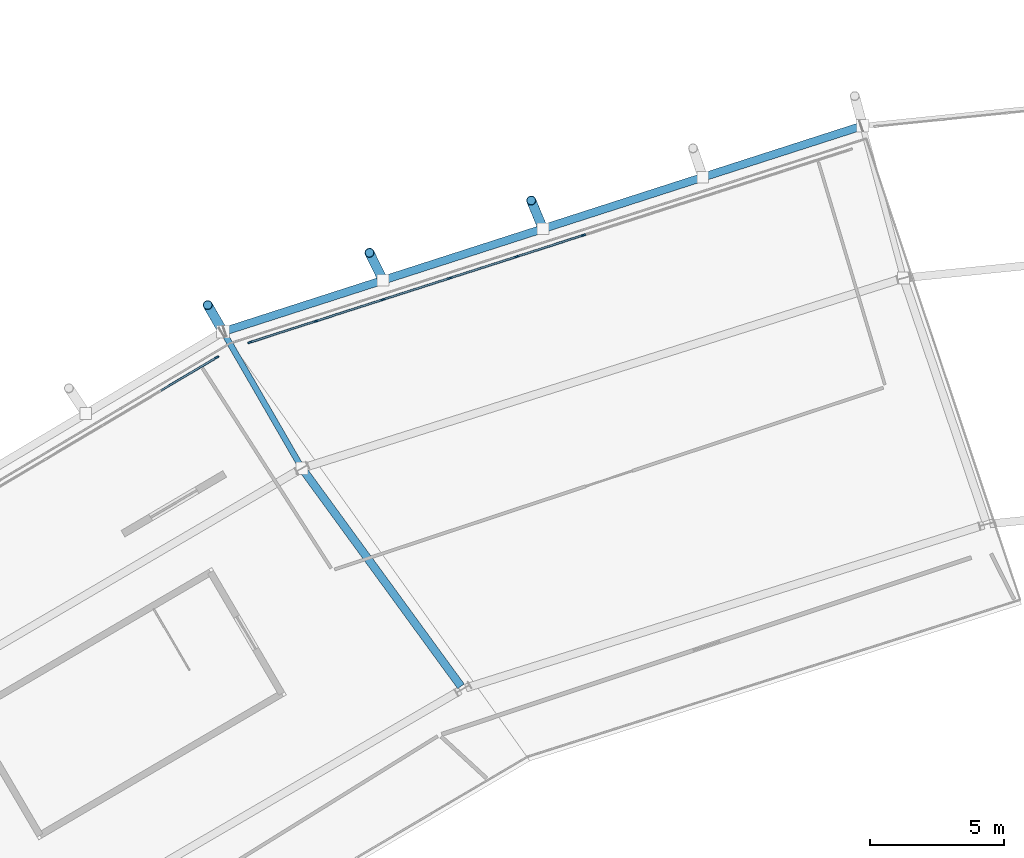
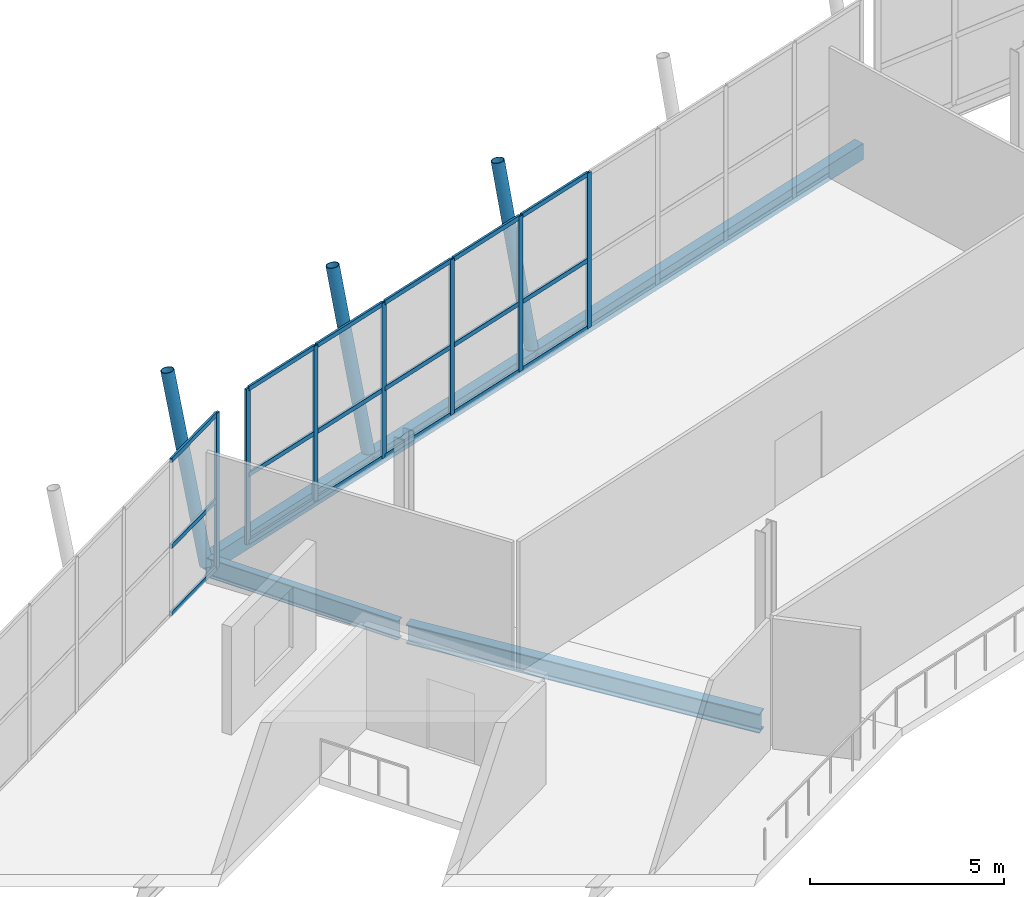
# One storey, part 45 of 99: 28 members, 3 beams, 2 elements without a shape of their own.
"""IFC4 building model written with IfcOpenShell, lengths in metres."""

import ifcopenshell
import ifcopenshell.guid

model = None  # the IFC model being written
_history = None  # IfcOwnerHistory: only IFC2X3 demands one
_inside = {}  # id of a spatial element -> (the spatial element, [elements in it])
_under = {}  # id of a project, library or spatial element -> (it, [spatial elements below it])
_declared = {}  # id of a project -> (the project, [libraries it declares])
_typed = {}  # id of a type object -> (the type object, [elements of that type])
_made_of = {}  # id of a material, layer set ... -> (it, [elements and type objects made of it])


def new_model(schema):
    """Start an empty IFC model of exactly this schema.

    Asked for "IFC4X3", IfcOpenShell would pick the latest addendum, in which some entities
    have other attributes; the version numbers below select the first issue.
    IFC2X3 requires an IfcOwnerHistory on every rooted entity: one is made here for all.
    """
    global model, _history
    if schema == "IFC4X3":
        model = ifcopenshell.file(schema_version=(4, 3, 0, 0))
    else:
        model = ifcopenshell.file(schema=schema)
    _inside.clear()
    _under.clear()
    _declared.clear()
    _typed.clear()
    _made_of.clear()
    _history = None
    if model.schema == "IFC2X3":
        org = make("IfcOrganization", Name="unknown")
        user = make(
            "IfcPersonAndOrganization",
            ThePerson=make("IfcPerson", FamilyName="unknown"),
            TheOrganization=org,
        )
        app = make(
            "IfcApplication",
            ApplicationDeveloper=org,
            Version="unknown",
            ApplicationFullName="unknown",
            ApplicationIdentifier="unknown",
        )
        _history = make(
            "IfcOwnerHistory",
            OwningUser=user,
            OwningApplication=app,
            ChangeAction="ADDED",
            CreationDate=0,
        )
    return model


def make(cls, **values):
    """One entity of the class cls with the attributes given. An attribute that is None is left unset."""
    return model.create_entity(
        cls, **{name: value for name, value in values.items() if value is not None}
    )


def rooted(cls, **values):
    """An entity with a GlobalId (a new one), such as an element, a storey or a relation."""
    return make(cls, GlobalId=ifcopenshell.guid.new(), OwnerHistory=_history, **values)


def si_unit(unit_type, name, prefix=None):
    """IfcSIUnit, for example si_unit("LENGTHUNIT", "METRE", prefix="MILLI")."""
    return make("IfcSIUnit", UnitType=unit_type, Prefix=prefix, Name=name)


def assignment(units):
    """IfcUnitAssignment: the units of a project."""
    return None if units is None else make("IfcUnitAssignment", Units=units)


def point(xyz):
    """IfcCartesianPoint."""
    return None if xyz is None else make("IfcCartesianPoint", Coordinates=xyz)


def direction(xyz):
    """IfcDirection."""
    return None if xyz is None else make("IfcDirection", DirectionRatios=xyz)


def frame(location, z_axis=None, x_axis=None):
    """IfcAxis2Placement3D, a coordinate frame: its origin and axes. An axis left out is left unset."""
    return make(
        "IfcAxis2Placement3D",
        Location=point(location),
        Axis=direction(z_axis),
        RefDirection=direction(x_axis),
    )


def frame_2d(location, x_axis=None):
    """IfcAxis2Placement2D, a coordinate frame in the plane: its origin and x axis."""
    return make(
        "IfcAxis2Placement2D", Location=point(location), RefDirection=direction(x_axis)
    )


def origin():
    """The frame at (0, 0, 0) with its axes left unset."""
    return frame((0.0, 0.0, 0.0))


def origin_2d():
    """The frame at (0, 0) in the plane with its x axis left unset."""
    return frame_2d((0.0, 0.0))


def place(relative_to, where):
    """IfcLocalPlacement: puts the frame where relative to a parent placement (None: the world)."""
    return make(
        "IfcLocalPlacement", PlacementRelTo=relative_to, RelativePlacement=where
    )


def context(
    kind, dimensions, precision=None, world=None, true_north=None, identifier=None
):
    """IfcGeometricRepresentationContext, for example the 3D "Model" context."""
    return make(
        "IfcGeometricRepresentationContext",
        ContextIdentifier=identifier,
        ContextType=kind,
        CoordinateSpaceDimension=dimensions,
        Precision=precision,
        WorldCoordinateSystem=world,
        TrueNorth=true_north,
    )


def subcontext(parent, identifier, kind, view, scale=None):
    """IfcGeometricRepresentationSubContext, for example "Body" below "Model"."""
    return make(
        "IfcGeometricRepresentationSubContext",
        ContextIdentifier=identifier,
        ContextType=kind,
        ParentContext=parent,
        TargetScale=scale,
        TargetView=view,
    )


def project(units=None, contexts=None):
    """IfcProject with its units and contexts."""
    return rooted(
        "IfcProject",
        Name="project",
        RepresentationContexts=contexts,
        UnitsInContext=assignment(units),
    )


def spatial(cls, under=None, at=None, **own):
    """A site, building, storey or space (cls), placed at a placement, below another one or the project."""
    s = rooted(cls, ObjectPlacement=at, **own)
    if under is not None:
        _under.setdefault(under.id(), (under, []))[1].append(s)
    return s


def profile(cls, at=None, kind="AREA", **sizes):
    """A parametric profile (cls). Its sizes go by their IFC names, for example OverallWidth=200.0."""
    return make(cls, ProfileType=kind, Position=at, **sizes)


def rectangle(**sizes):
    """IfcRectangleProfileDef."""
    return profile("IfcRectangleProfileDef", **sizes)


def hollow_rectangle(**sizes):
    """IfcRectangleHollowProfileDef."""
    return profile("IfcRectangleHollowProfileDef", **sizes)


def hollow_circle(**sizes):
    """IfcCircleHollowProfileDef."""
    return profile("IfcCircleHollowProfileDef", **sizes)


def i_section(**sizes):
    """IfcIShapeProfileDef."""
    return profile("IfcIShapeProfileDef", **sizes)


def extrude(swept, where, along, depth):
    """IfcExtrudedAreaSolid: the profile swept, set in the frame where, extruded along a direction by depth."""
    return make(
        "IfcExtrudedAreaSolid",
        SweptArea=swept,
        Position=where,
        ExtrudedDirection=direction(along),
        Depth=depth,
    )


def shape(context_of_items, identifier, shape_type, items):
    """IfcShapeRepresentation: the items that make up one representation, for example the "Body"."""
    return make(
        "IfcShapeRepresentation",
        ContextOfItems=context_of_items,
        RepresentationIdentifier=identifier,
        RepresentationType=shape_type,
        Items=items,
    )


def material(Name=None, Category=None):
    """IfcMaterial."""
    return make("IfcMaterial", Name=Name, Category=Category)


def material_profile(
    of_material, cross_section, Name=None, Category=None, Priority=None
):
    """IfcMaterialProfile: a cross section and its material."""
    return make(
        "IfcMaterialProfile",
        Name=Name,
        Material=of_material,
        Profile=cross_section,
        Priority=Priority,
        Category=Category,
    )


def profile_set(profiles, Name=None, composite=None):
    """IfcMaterialProfileSet."""
    return make(
        "IfcMaterialProfileSet",
        Name=Name,
        MaterialProfiles=profiles,
        CompositeProfile=composite,
    )


def made_of(thing, what):
    """Note that an element or type object is made of a material, layer set ...; save() writes the relation."""
    if what is not None:
        _made_of.setdefault(what.id(), (what, []))[1].append(thing)
    return thing


def type_object(cls, material=None, **own):
    """A type object (cls), such as IfcWallType, which elements share."""
    return made_of(rooted(cls, **own), material)


def element(
    cls,
    number,
    at=None,
    inside=None,
    cuts=None,
    type_object=None,
    material=None,
    context=None,
    identifier="Body",
    shape_type=None,
    held_by="IfcProductDefinitionShape",
    body=None,
    shapes=None,
    **own,
):
    """One element of the class cls, such as IfcWall. Its Tag is "e" and its number.

    at: its placement. inside: the storey or other place that contains it. cuts: it is an
    opening in that element (IfcRelVoidsElement). A single representation is given by context,
    identifier, shape_type and body (its items); several are given by shapes. held_by: the class
    of the entity that holds the representations. save() writes the other relations.
    """
    e = rooted(cls, Tag="e%d" % number, ObjectPlacement=at, **own)
    if body is not None:
        shapes = [shape(context, identifier, shape_type, body)]
    if shapes is not None:
        e.Representation = make(held_by, Representations=shapes)
    if inside is not None:
        _inside.setdefault(inside.id(), (inside, []))[1].append(e)
    if cuts is not None:
        rooted(
            "IfcRelVoidsElement", RelatingBuildingElement=cuts, RelatedOpeningElement=e
        )
    if type_object is not None:
        _typed.setdefault(type_object.id(), (type_object, []))[1].append(e)
    return made_of(e, material)


def aggregate(whole, parts):
    """IfcRelAggregates: a whole, such as a stair, and the parts it consists of."""
    return rooted("IfcRelAggregates", RelatingObject=whole, RelatedObjects=parts)


def save(model, path):
    """Write the relations noted so far, then the file.

    IfcRelAggregates (storeys below a building ...), IfcRelContainedInSpatialStructure (elements
    in a storey), IfcRelDefinesByType, IfcRelAssociatesMaterial and IfcRelDeclares: one each for
    every whole, place, type object, material and project.
    """
    for whole, parts in _under.values():
        aggregate(whole, parts)
    for where, things in _inside.values():
        rooted(
            "IfcRelContainedInSpatialStructure",
            RelatedElements=things,
            RelatingStructure=where,
        )
    for kind, things in _typed.values():
        rooted("IfcRelDefinesByType", RelatedObjects=things, RelatingType=kind)
    for what, things in _made_of.values():
        rooted("IfcRelAssociatesMaterial", RelatedObjects=things, RelatingMaterial=what)
    for by, libraries in _declared.values():
        rooted("IfcRelDeclares", RelatingContext=by, RelatedDefinitions=libraries)
    model.write(path)


model = new_model("IFC4")

# Units and contexts
model_context = context("Model", 3, precision=1e-05, world=origin(), true_north=direction((0.0, 1.0)))
body_context = subcontext(model_context, "Body", "Model", "MODEL_VIEW")
ifc_project = project(units=[si_unit("LENGTHUNIT", "METRE"), si_unit("AREAUNIT", "SQUARE_METRE"), si_unit("VOLUMEUNIT", "CUBIC_METRE"), si_unit("PLANEANGLEUNIT", "RADIAN"), si_unit("MASSUNIT", "GRAM", prefix="KILO")], contexts=[model_context])

# Site, building, storey
site_placement = place(None, origin())
site = spatial("IfcSite", under=ifc_project, at=site_placement, CompositionType="ELEMENT")
building_placement = place(site_placement, origin())
building = spatial("IfcBuilding", under=site, at=building_placement, Name="Zlatoyarsky Gate Stadium", CompositionType="ELEMENT")
storey_placement = place(building_placement, frame((0.0, 0.0, 26.199951171875)))
storey = spatial("IfcBuildingStorey", under=building, at=storey_placement, Name="L05", CompositionType="ELEMENT", Elevation=26.199951171875)

# Curtain wall, members
ifc_material_1 = material(Name="Thermally broken anodised aluminium curtain wall", Category="aluminium")
curtain_wall_type = type_object("IfcCurtainWallType", Name="UNITISED SKYBOX RING GLAZING L05", PredefinedType="USERDEFINED", material=ifc_material_1)
curtain_wall_1_placement = place(storey_placement, origin())
curtain_wall_1 = element("IfcCurtainWall", 1, at=curtain_wall_1_placement, inside=storey, type_object=curtain_wall_type, Name="Curtain wall CW-L05-07", ObjectType="UNITISED GLAZING", PredefinedType="USERDEFINED")
ifc_material_2 = material(Name="Anodised aluminium 6063-T6", Category="aluminium")
ifc_material_profile_1 = material_profile(ifc_material_2, rectangle(XDim=0.06494140625, YDim=0.159912109375, at=origin_2d()), Name="ALU 65X160")
ifc_profile_set_1 = profile_set([ifc_material_profile_1], Name="Anodised aluminium 6063-T6")
member_type_1 = type_object("IfcMemberType", Name="ALUMINIUM MULLION 65X160", PredefinedType="MULLION", material=ifc_profile_set_1)
member_1_placement = place(storey_placement, frame((74.9970703125, 150.177978515625, 0.0), z_axis=(0.0, 0.0, 1.0), x_axis=(0.305979243097, -0.952038183475, 0.0)))
member_1 = element("IfcMember", 2, at=member_1_placement, type_object=member_type_1, Name="CW-UG5 mullion 5", PredefinedType="MULLION", context=body_context, shape_type="SweptSolid", body=[
    extrude(rectangle(XDim=0.06494140625, YDim=0.159912109375, at=origin_2d()), origin(), (0.0, 0.0, 1.0), 4.880126953125),
])
member_2_placement = place(storey_placement, frame((72.503662109375, 149.376708984375, 0.0), z_axis=(0.0, 0.0, 1.0), x_axis=(0.305979243097, -0.952038183475, 0.0)))
member_2 = element("IfcMember", 3, at=member_2_placement, type_object=member_type_1, Name="CW-UG5 mullion 6", PredefinedType="MULLION", context=body_context, shape_type="SweptSolid", body=[
    extrude(rectangle(XDim=0.06494140625, YDim=0.159912109375, at=origin_2d()), origin(), (0.0, 0.0, 1.0), 4.880126953125),
])
member_3_placement = place(storey_placement, frame((70.01025390625, 148.5751953125, 0.0), z_axis=(0.0, 0.0, 1.0), x_axis=(0.305979243097, -0.952038183475, 0.0)))
member_3 = element("IfcMember", 4, at=member_3_placement, type_object=member_type_1, Name="CW-UG5 mullion 7", PredefinedType="MULLION", context=body_context, shape_type="SweptSolid", body=[
    extrude(rectangle(XDim=0.06494140625, YDim=0.159912109375, at=origin_2d()), origin(), (0.0, 0.0, 1.0), 4.880126953125),
])
member_4_placement = place(storey_placement, frame((67.5166015625, 147.77392578125, 0.0), z_axis=(0.0, 0.0, 1.0), x_axis=(0.305979243097, -0.952038183475, 0.0)))
member_4 = element("IfcMember", 5, at=member_4_placement, type_object=member_type_1, Name="CW-UG5 mullion 8", PredefinedType="MULLION", context=body_context, shape_type="SweptSolid", body=[
    extrude(rectangle(XDim=0.06494140625, YDim=0.159912109375, at=origin_2d()), origin(), (0.0, 0.0, 1.0), 4.880126953125),
])
member_5_placement = place(storey_placement, frame((65.023193359375, 146.972412109375, 0.0), z_axis=(0.0, 0.0, 1.0), x_axis=(0.305979243097, -0.952038183475, 0.0)))
member_5 = element("IfcMember", 6, at=member_5_placement, type_object=member_type_1, Name="CW-UG5 mullion 9", PredefinedType="MULLION", context=body_context, shape_type="SweptSolid", body=[
    extrude(rectangle(XDim=0.06494140625, YDim=0.159912109375, at=origin_2d()), origin(), (0.0, 0.0, 1.0), 4.880126953125),
])
member_6_placement = place(storey_placement, frame((62.560791015625, 146.18115234375, 0.0), z_axis=(0.0, 0.0, 1.0), x_axis=(0.305979243097, -0.952038183475, 0.0)))
member_6 = element("IfcMember", 7, at=member_6_placement, type_object=member_type_1, Name="CW-UG5 mullion 10", PredefinedType="MULLION", context=body_context, shape_type="SweptSolid", body=[
    extrude(rectangle(XDim=0.06494140625, YDim=0.159912109375, at=origin_2d()), origin(), (0.0, 0.0, 1.0), 4.880126953125),
])

# Curtain wall, member
curtain_wall_2_placement = place(storey_placement, origin())
curtain_wall_2 = element("IfcCurtainWall", 8, at=curtain_wall_2_placement, inside=storey, type_object=curtain_wall_type, Name="Curtain wall CW-L05-08", ObjectType="UNITISED GLAZING", PredefinedType="USERDEFINED")
member_7_placement = place(storey_placement, frame((61.324462890625, 145.623046875, 0.0), z_axis=(0.0, 0.0, 1.0), x_axis=(0.511575201082, -0.859238508005, 0.0)))
member_7 = element("IfcMember", 9, at=member_7_placement, type_object=member_type_1, Name="CW-UG5 mullion 1", PredefinedType="MULLION", context=body_context, shape_type="SweptSolid", body=[
    extrude(rectangle(XDim=0.06494140625, YDim=0.159912109375, at=origin_2d()), origin(), (0.0, 0.0, 1.0), 4.880126953125),
])

# Member
ifc_material_profile_2 = material_profile(ifc_material_2, rectangle(XDim=0.06494140625, YDim=0.139892578125, at=origin_2d()), Name="ALU 65X140")
ifc_profile_set_2 = profile_set([ifc_material_profile_2], Name="Anodised aluminium 6063-T6")
member_type_2 = type_object("IfcMemberType", Name="ALUMINIUM TRANSOM 65X140", PredefinedType="USERDEFINED", material=ifc_profile_set_2)
member_8_placement = place(storey_placement, frame((74.966064453125, 150.16796875, 0.032470703125), z_axis=(-0.952040495048, -0.305972050667, 0.0), x_axis=(0.305972050667, -0.952040495048, 0.0)))
member_8 = element("IfcMember", 10, at=member_8_placement, type_object=member_type_2, Name="CW-UG5 transom 5.1", ObjectType="TRANSOM", PredefinedType="USERDEFINED", context=body_context, shape_type="SweptSolid", body=[
    extrude(rectangle(XDim=0.06494140625, YDim=0.139892578125, at=origin_2d()), origin(), (0.0, 0.0, 1.0), 2.55419921875),
])

member_9_placement = place(storey_placement, frame((74.966064453125, 150.16796875, 2.150146484375), z_axis=(-0.952040495048, -0.305972050667, 0.0), x_axis=(0.305972050667, -0.952040495048, 0.0)))
member_9 = element("IfcMember", 11, at=member_9_placement, type_object=member_type_2, Name="CW-UG5 transom 5.2", ObjectType="TRANSOM", PredefinedType="USERDEFINED", context=body_context, shape_type="SweptSolid", body=[
    extrude(rectangle(XDim=0.06494140625, YDim=0.139892578125, at=origin_2d()), origin(), (0.0, 0.0, 1.0), 2.55419921875),
])

member_10_placement = place(storey_placement, frame((74.966064453125, 150.16796875, 4.84765625), z_axis=(-0.952040495048, -0.305972050667, 0.0), x_axis=(0.305972050667, -0.952040495048, 0.0)))
member_10 = element("IfcMember", 12, at=member_10_placement, type_object=member_type_2, Name="CW-UG5 transom 5.3", ObjectType="TRANSOM", PredefinedType="USERDEFINED", context=body_context, shape_type="SweptSolid", body=[
    extrude(rectangle(XDim=0.06494140625, YDim=0.139892578125, at=origin_2d()), origin(), (0.0, 0.0, 1.0), 2.55419921875),
])

member_11_placement = place(storey_placement, frame((72.47265625, 149.36669921875, 0.032470703125), z_axis=(-0.952040495048, -0.305972050667, 0.0), x_axis=(0.305972050667, -0.952040495048, 0.0)))
member_11 = element("IfcMember", 13, at=member_11_placement, type_object=member_type_2, Name="CW-UG5 transom 6.1", ObjectType="TRANSOM", PredefinedType="USERDEFINED", context=body_context, shape_type="SweptSolid", body=[
    extrude(rectangle(XDim=0.06494140625, YDim=0.139892578125, at=origin_2d()), origin(), (0.0, 0.0, 1.0), 2.55419921875),
])

member_12_placement = place(storey_placement, frame((72.47265625, 149.36669921875, 2.150146484375), z_axis=(-0.952040495048, -0.305972050667, 0.0), x_axis=(0.305972050667, -0.952040495048, 0.0)))
member_12 = element("IfcMember", 14, at=member_12_placement, type_object=member_type_2, Name="CW-UG5 transom 6.2", ObjectType="TRANSOM", PredefinedType="USERDEFINED", context=body_context, shape_type="SweptSolid", body=[
    extrude(rectangle(XDim=0.06494140625, YDim=0.139892578125, at=origin_2d()), origin(), (0.0, 0.0, 1.0), 2.55419921875),
])

member_13_placement = place(storey_placement, frame((72.47265625, 149.36669921875, 4.84765625), z_axis=(-0.952040495048, -0.305972050667, 0.0), x_axis=(0.305972050667, -0.952040495048, 0.0)))
member_13 = element("IfcMember", 15, at=member_13_placement, type_object=member_type_2, Name="CW-UG5 transom 6.3", ObjectType="TRANSOM", PredefinedType="USERDEFINED", context=body_context, shape_type="SweptSolid", body=[
    extrude(rectangle(XDim=0.06494140625, YDim=0.139892578125, at=origin_2d()), origin(), (0.0, 0.0, 1.0), 2.55419921875),
])

member_14_placement = place(storey_placement, frame((69.979248046875, 148.565185546875, 0.032470703125), z_axis=(-0.952040495048, -0.305972050667, 0.0), x_axis=(0.305972050667, -0.952040495048, 0.0)))
member_14 = element("IfcMember", 16, at=member_14_placement, type_object=member_type_2, Name="CW-UG5 transom 7.1", ObjectType="TRANSOM", PredefinedType="USERDEFINED", context=body_context, shape_type="SweptSolid", body=[
    extrude(rectangle(XDim=0.06494140625, YDim=0.139892578125, at=origin_2d()), origin(), (0.0, 0.0, 1.0), 2.55419921875),
])

member_15_placement = place(storey_placement, frame((69.979248046875, 148.565185546875, 2.150146484375), z_axis=(-0.952040495048, -0.305972050667, 0.0), x_axis=(0.305972050667, -0.952040495048, 0.0)))
member_15 = element("IfcMember", 17, at=member_15_placement, type_object=member_type_2, Name="CW-UG5 transom 7.2", ObjectType="TRANSOM", PredefinedType="USERDEFINED", context=body_context, shape_type="SweptSolid", body=[
    extrude(rectangle(XDim=0.06494140625, YDim=0.139892578125, at=origin_2d()), origin(), (0.0, 0.0, 1.0), 2.55419921875),
])

member_16_placement = place(storey_placement, frame((69.979248046875, 148.565185546875, 4.84765625), z_axis=(-0.952040495048, -0.305972050667, 0.0), x_axis=(0.305972050667, -0.952040495048, 0.0)))
member_16 = element("IfcMember", 18, at=member_16_placement, type_object=member_type_2, Name="CW-UG5 transom 7.3", ObjectType="TRANSOM", PredefinedType="USERDEFINED", context=body_context, shape_type="SweptSolid", body=[
    extrude(rectangle(XDim=0.06494140625, YDim=0.139892578125, at=origin_2d()), origin(), (0.0, 0.0, 1.0), 2.55419921875),
])

member_17_placement = place(storey_placement, frame((67.48583984375, 147.763916015625, 0.032470703125), z_axis=(-0.952040495048, -0.305972050667, 0.0), x_axis=(0.305972050667, -0.952040495048, 0.0)))
member_17 = element("IfcMember", 19, at=member_17_placement, type_object=member_type_2, Name="CW-UG5 transom 8.1", ObjectType="TRANSOM", PredefinedType="USERDEFINED", context=body_context, shape_type="SweptSolid", body=[
    extrude(rectangle(XDim=0.06494140625, YDim=0.139892578125, at=origin_2d()), origin(), (0.0, 0.0, 1.0), 2.55419921875),
])

member_18_placement = place(storey_placement, frame((67.48583984375, 147.763916015625, 2.150146484375), z_axis=(-0.952040495048, -0.305972050667, 0.0), x_axis=(0.305972050667, -0.952040495048, 0.0)))
member_18 = element("IfcMember", 20, at=member_18_placement, type_object=member_type_2, Name="CW-UG5 transom 8.2", ObjectType="TRANSOM", PredefinedType="USERDEFINED", context=body_context, shape_type="SweptSolid", body=[
    extrude(rectangle(XDim=0.06494140625, YDim=0.139892578125, at=origin_2d()), origin(), (0.0, 0.0, 1.0), 2.55419921875),
])

member_19_placement = place(storey_placement, frame((67.48583984375, 147.763916015625, 4.84765625), z_axis=(-0.952040495048, -0.305972050667, 0.0), x_axis=(0.305972050667, -0.952040495048, 0.0)))
member_19 = element("IfcMember", 21, at=member_19_placement, type_object=member_type_2, Name="CW-UG5 transom 8.3", ObjectType="TRANSOM", PredefinedType="USERDEFINED", context=body_context, shape_type="SweptSolid", body=[
    extrude(rectangle(XDim=0.06494140625, YDim=0.139892578125, at=origin_2d()), origin(), (0.0, 0.0, 1.0), 2.55419921875),
])

member_20_placement = place(storey_placement, frame((64.9921875, 146.962646484375, 0.032470703125), z_axis=(-0.952008410137, -0.30607186579, 0.0), x_axis=(0.30607186579, -0.952008410137, 0.0)))
member_20 = element("IfcMember", 22, at=member_20_placement, type_object=member_type_2, Name="CW-UG5 transom 9.1", ObjectType="TRANSOM", PredefinedType="USERDEFINED", context=body_context, shape_type="SweptSolid", body=[
    extrude(rectangle(XDim=0.06494140625, YDim=0.139892578125, at=origin_2d()), origin(), (0.0, 0.0, 1.0), 2.521484375),
])

member_21_placement = place(storey_placement, frame((64.9921875, 146.962646484375, 2.150146484375), z_axis=(-0.952008410137, -0.30607186579, 0.0), x_axis=(0.30607186579, -0.952008410137, 0.0)))
member_21 = element("IfcMember", 23, at=member_21_placement, type_object=member_type_2, Name="CW-UG5 transom 9.2", ObjectType="TRANSOM", PredefinedType="USERDEFINED", context=body_context, shape_type="SweptSolid", body=[
    extrude(rectangle(XDim=0.06494140625, YDim=0.139892578125, at=origin_2d()), origin(), (0.0, 0.0, 1.0), 2.521484375),
])

member_22_placement = place(storey_placement, frame((64.9921875, 146.962646484375, 4.84765625), z_axis=(-0.952008410137, -0.30607186579, 0.0), x_axis=(0.30607186579, -0.952008410137, 0.0)))
member_22 = element("IfcMember", 24, at=member_22_placement, type_object=member_type_2, Name="CW-UG5 transom 9.3", ObjectType="TRANSOM", PredefinedType="USERDEFINED", context=body_context, shape_type="SweptSolid", body=[
    extrude(rectangle(XDim=0.06494140625, YDim=0.139892578125, at=origin_2d()), origin(), (0.0, 0.0, 1.0), 2.521484375),
])

aggregate(curtain_wall_1, [member_1, member_2, member_3, member_4, member_5, member_6, member_8, member_9, member_10, member_11, member_12, member_13, member_14, member_15, member_16, member_17, member_18, member_19, member_20, member_21, member_22])

member_23_placement = place(storey_placement, frame((61.296630859375, 145.6064453125, 0.032470703125), z_axis=(-0.859211542778, -0.511620488993, 0.0), x_axis=(0.511620488993, -0.859211542778, 0.0)))
member_23 = element("IfcMember", 25, at=member_23_placement, type_object=member_type_2, Name="CW-UG5 transom 1.1", ObjectType="TRANSOM", PredefinedType="USERDEFINED", context=body_context, shape_type="SweptSolid", body=[
    extrude(rectangle(XDim=0.06494140625, YDim=0.139892578125, at=origin_2d()), origin(), (0.0, 0.0, 1.0), 2.387451171875),
])

member_24_placement = place(storey_placement, frame((61.296630859375, 145.6064453125, 2.150146484375), z_axis=(-0.859211542778, -0.511620488993, 0.0), x_axis=(0.511620488993, -0.859211542778, 0.0)))
member_24 = element("IfcMember", 26, at=member_24_placement, type_object=member_type_2, Name="CW-UG5 transom 1.2", ObjectType="TRANSOM", PredefinedType="USERDEFINED", context=body_context, shape_type="SweptSolid", body=[
    extrude(rectangle(XDim=0.06494140625, YDim=0.139892578125, at=origin_2d()), origin(), (0.0, 0.0, 1.0), 2.387451171875),
])

member_25_placement = place(storey_placement, frame((61.296630859375, 145.6064453125, 4.84765625), z_axis=(-0.859211542778, -0.511620488993, 0.0), x_axis=(0.511620488993, -0.859211542778, 0.0)))
member_25 = element("IfcMember", 27, at=member_25_placement, type_object=member_type_2, Name="CW-UG5 transom 1.3", ObjectType="TRANSOM", PredefinedType="USERDEFINED", context=body_context, shape_type="SweptSolid", body=[
    extrude(rectangle(XDim=0.06494140625, YDim=0.139892578125, at=origin_2d()), origin(), (0.0, 0.0, 1.0), 2.387451171875),
])

aggregate(curtain_wall_2, [member_7, member_23, member_24, member_25])

# Beam
ifc_material_3 = material(Name="Steel S355", Category="steel")
ifc_material_profile_3 = material_profile(ifc_material_3, i_section(OverallWidth=0.219970703125, OverallDepth=0.60009765625, WebThickness=0.011962890625, FlangeThickness=0.01904296875, FilletRadius=0.02392578125, at=origin_2d()), Name="IPE 600")
ifc_profile_set_3 = profile_set([ifc_material_profile_3], Name="Steel S355")
beam_type_1 = type_object("IfcBeamType", Name="STEEL CANTILEVER FLOOR BEAM IPE 600", PredefinedType="BEAM", material=ifc_profile_set_3)
beam_1_placement = place(storey_placement, frame((64.43994140625, 141.591796875, -0.56005859375), z_axis=(-0.499987939687, 0.866032366698, 0.0), x_axis=(-0.866032366698, -0.499987939687, 0.0)))
element("IfcBeam", 28, at=beam_1_placement, inside=storey, type_object=beam_type_1, Name="Beam B-IPE600 BM-L05-OUT-08", PredefinedType="BEAM", context=body_context, shape_type="SweptSolid", body=[
    extrude(i_section(OverallWidth=0.219970703125, OverallDepth=0.60009765625, WebThickness=0.011962890625, FlangeThickness=0.01904296875, FilletRadius=0.02392578125, at=origin_2d()), origin(), (0.0, 0.0, 1.0), 5.758056640625),
])

# Members
ifc_material_profile_4 = material_profile(ifc_material_3, hollow_circle(Radius=0.177734375, WallThickness=0.02001953125, at=origin_2d()), Name="CHS 355.6X20")
ifc_profile_set_4 = profile_set([ifc_material_profile_4], Name="Steel S355")
member_type_3 = type_object("IfcMemberType", Name="STEEL LEANING RIB RING STRUT CHS 355.6X20", PredefinedType="STRUT", material=ifc_profile_set_4)
member_26_placement = place(storey_placement, frame((73.48486328125, 150.41845703125, -0.510009765625), z_axis=(-0.075562233287, 0.182372642512, 0.980321665661), x_axis=(-0.923841896938, -0.382774280043, 0.0)))
element("IfcMember", 29, at=member_26_placement, inside=storey, type_object=member_type_3, Name="Outward-leaning bowl louvre fin rib L05 07-2", PredefinedType="STRUT", context=body_context, shape_type="SweptSolid", body=[
    extrude(hollow_circle(Radius=0.177734375, WallThickness=0.02001953125, at=origin_2d()), origin(), (0.0, 0.0, 1.0), 5.773681640625),
])
member_27_placement = place(storey_placement, frame((67.52294921875, 148.498291015625, -0.510009765625), z_axis=(-0.087563167569, 0.177409488711, 0.980233933814), x_axis=(-0.896723337251, -0.442591523224, 0.0)))
element("IfcMember", 30, at=member_27_placement, inside=storey, type_object=member_type_3, Name="Outward-leaning bowl louvre fin rib L05 07-3", PredefinedType="STRUT", context=body_context, shape_type="SweptSolid", body=[
    extrude(hollow_circle(Radius=0.177734375, WallThickness=0.02001953125, at=origin_2d()), origin(), (0.0, 0.0, 1.0), 5.774169921875),
])
member_28_placement = place(storey_placement, frame((61.56103515625, 146.578369140625, -0.56005859375), z_axis=(-0.098707531353, 0.170925398241, 0.980327155337), x_axis=(-0.865973391227, -0.500090077572, 0.0)))
element("IfcMember", 31, at=member_28_placement, inside=storey, type_object=member_type_3, Name="Upper leaning rib ring strut 08", PredefinedType="STRUT", context=body_context, shape_type="SweptSolid", body=[
    extrude(hollow_circle(Radius=0.177734375, WallThickness=0.02001953125, at=origin_2d()), origin(), (0.0, 0.0, 1.0), 5.82470703125),
])

# Beams
ifc_material_profile_5 = material_profile(ifc_material_3, hollow_rectangle(XDim=0.300048828125, YDim=0.5, WallThickness=0.02001953125, at=origin_2d()), Name="RHS 500X300X20")
ifc_profile_set_5 = profile_set([ifc_material_profile_5], Name="Steel S355")
beam_type_2 = type_object("IfcBeamType", Name="STEEL LOUVRE CARRIER SPANDREL RHS 500X300X20", PredefinedType="SPANDREL", material=ifc_profile_set_5)
beam_2_placement = place(storey_placement, frame((85.389404296875, 154.25244140625, -0.510009765625), z_axis=(-0.951854041458, -0.306551600485, 0.0), x_axis=(0.306551600485, -0.951854041458, 0.0)))
element("IfcBeam", 32, at=beam_2_placement, inside=storey, type_object=beam_type_2, Name="Beam SP-RHS500 BM-L05-SPD-07", PredefinedType="SPANDREL", context=body_context, shape_type="SweptSolid", body=[
    extrude(hollow_rectangle(XDim=0.300048828125, YDim=0.5, WallThickness=0.02001953125, at=origin_2d()), origin(), (0.0, 0.0, 1.0), 25.013671875),
])
ifc_material_profile_6 = material_profile(ifc_material_3, i_section(OverallWidth=0.300048828125, OverallDepth=0.60009765625, WebThickness=0.015380859375, FlangeThickness=0.030029296875, FilletRadius=0.027099609375, at=origin_2d()), Name="HEB 600")
ifc_profile_set_6 = profile_set([ifc_material_profile_6], Name="Steel S355")
beam_type_3 = type_object("IfcBeamType", Name="STEEL PRIMARY GIRDER HEB 600", PredefinedType="BEAM", material=ifc_profile_set_6)
beam_3_placement = place(storey_placement, frame((70.42919921875, 133.357666015625, -0.56005859375), z_axis=(-0.589228266457, 0.807966614415, 0.0), x_axis=(-0.807966614415, -0.589228266457, 0.0)))
element("IfcBeam", 33, at=beam_3_placement, inside=storey, type_object=beam_type_3, Name="Beam G-HEB600 BM-L05-RBC-08", PredefinedType="BEAM", context=body_context, shape_type="SweptSolid", body=[
    extrude(i_section(OverallWidth=0.300048828125, OverallDepth=0.60009765625, WebThickness=0.015380859375, FlangeThickness=0.030029296875, FilletRadius=0.027099609375, at=origin_2d()), origin(), (0.0, 0.0, 1.0), 9.9423828125),
])

save(model, "model.ifc")
